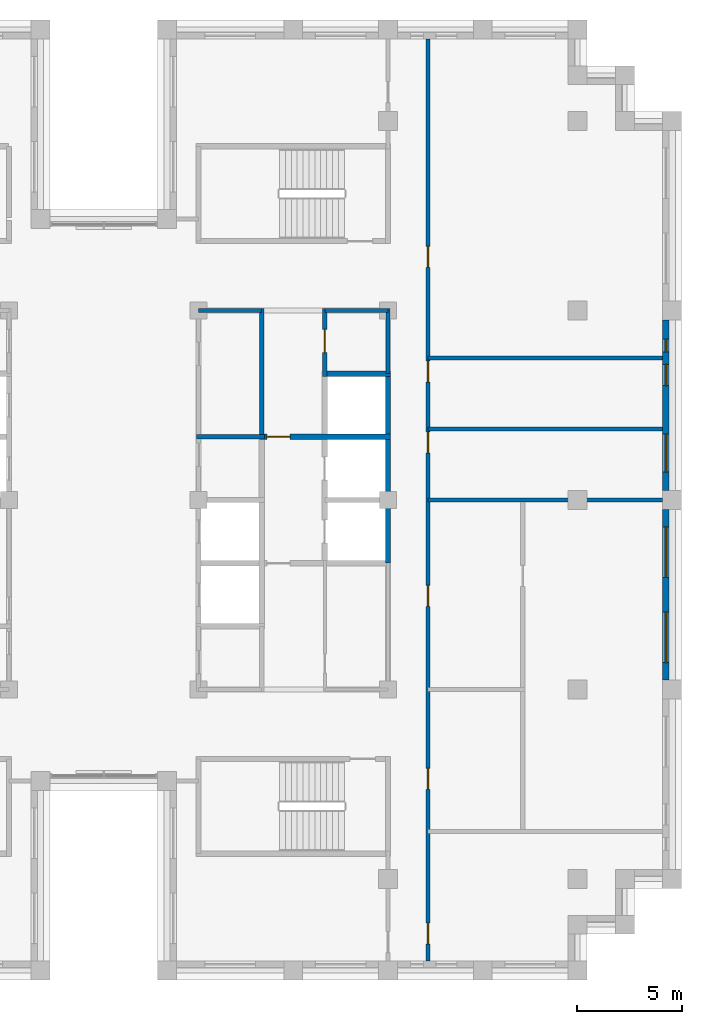
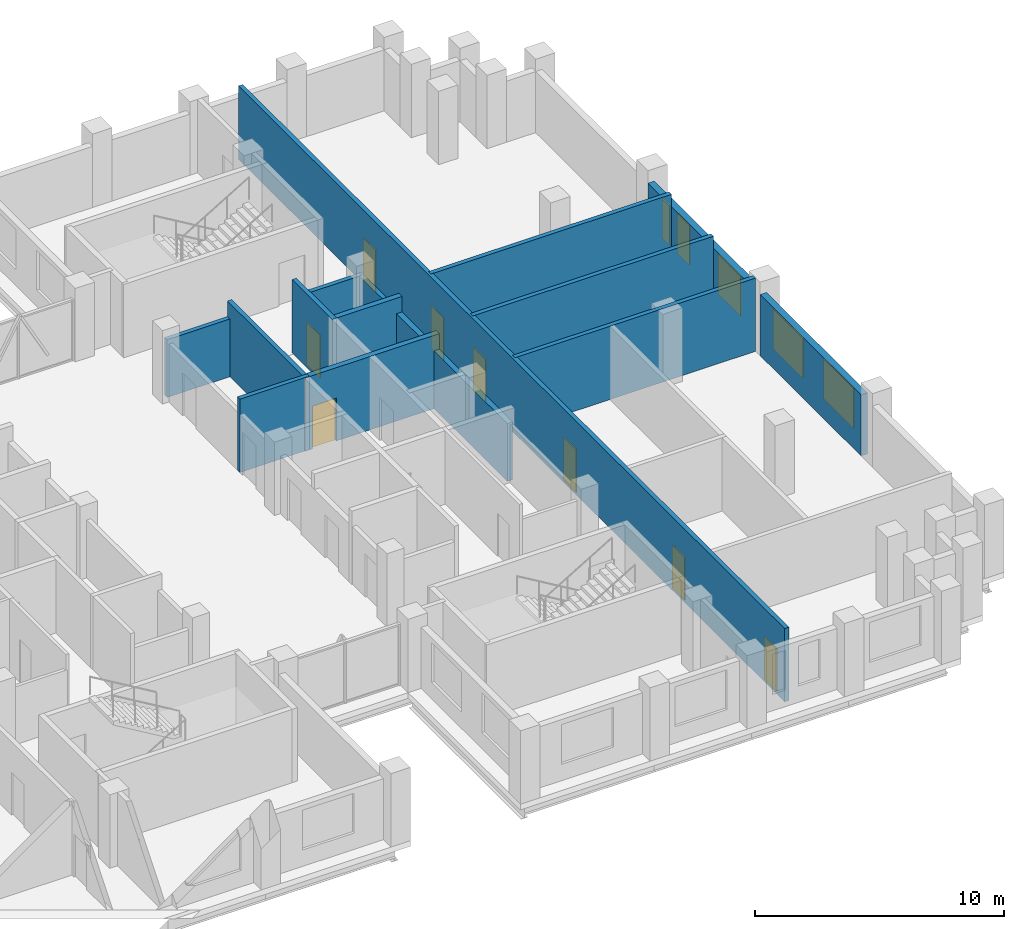
# One storey, part 9 of 13: 15 walls, 8 doors, 5 windows, 13 openings.
"""IFC4 building model written with IfcOpenShell, lengths in metres."""

from ifc_helpers import new_model, si_unit, direction, frame, frame_2d, origin, place, context, subcontext, project, spatial, rectangle, extrude, material, layer, layer_set, type_object, element, fill, save


model = new_model("IFC4")

# Units and contexts
model_context = context("Model", 3, precision=1e-05, world=origin(), true_north=direction((0.0, 1.0)))
body_context = subcontext(model_context, "Body", "Model", "MODEL_VIEW")
ifc_project = project(units=[si_unit("LENGTHUNIT", "METRE"), si_unit("AREAUNIT", "SQUARE_METRE"), si_unit("VOLUMEUNIT", "CUBIC_METRE"), si_unit("PLANEANGLEUNIT", "RADIAN"), si_unit("MASSUNIT", "GRAM", prefix="KILO")], contexts=[model_context])

# Site, building, storey
site_placement = place(None, origin())
site = spatial("IfcSite", under=ifc_project, at=site_placement, CompositionType="ELEMENT")
building_placement = place(site_placement, origin())
building = spatial("IfcBuilding", under=site, at=building_placement, Name="Corbelhall Arena Tower", CompositionType="ELEMENT")
storey_placement = place(building_placement, frame((0.0, 0.0, 290.0)))
storey = spatial("IfcBuildingStorey", under=building, at=storey_placement, Name="L63", CompositionType="ELEMENT", Elevation=290.0)

# Wall, openings, windows
ifc_material_1 = material(Name="Precast concrete C40/50 with granite facing", Category="masonry")
ifc_layer_1 = layer(ifc_material_1, 0.300048828125)
ifc_layer_set_1 = layer_set([ifc_layer_1], Name="EV-IW1 Infill panel 300")
wall_type_1 = type_object("IfcWallType", Name="EV-IW1 Infill panel 300", PredefinedType="SOLIDWALL", material=ifc_layer_set_1)
wall_1_placement = place(storey_placement, frame((26.699951171875, -8.550048828125, 0.0), z_axis=(0.0, 0.0, 1.0), x_axis=(0.0, 1.0, 0.0)))
wall_1 = element("IfcWall", 1, at=wall_1_placement, inside=storey, type_object=wall_type_1, Name="Infill panel IW1", PredefinedType="SOLIDWALL", context=body_context, shape_type="SweptSolid", body=[
    extrude(rectangle(XDim=8.10009765625, YDim=0.300048828125, at=frame_2d((4.050048828125, 0.0))), origin(), (0.0, 0.0, 1.0), 2.989990234375),
])
opening_1_placement = place(wall_1_placement, frame((0.824951171875, 0.0, 0.800048828125)))
opening_1 = element("IfcOpeningElement", 2, at=opening_1_placement, cuts=wall_1, Name="Opening WN1", PredefinedType="OPENING", context=body_context, shape_type="SweptSolid", body=[
    extrude(rectangle(XDim=2.39990234375, YDim=1.949951171875, at=frame_2d((1.199951171875, 0.97509765625))), frame((0.0, 0.14990234375, 0.0), z_axis=(0.0, -1.0, 0.0), x_axis=(1.0, 0.0, 0.0)), (0.0, 0.0, 1.0), 0.300048828125),
])
opening_2_placement = place(wall_1_placement, frame((4.875, 0.0, 0.800048828125)))
opening_2 = element("IfcOpeningElement", 3, at=opening_2_placement, cuts=wall_1, Name="Opening WN1", PredefinedType="OPENING", context=body_context, shape_type="SweptSolid", body=[
    extrude(rectangle(XDim=2.39990234375, YDim=1.949951171875, at=frame_2d((1.199951171875, 0.97509765625))), frame((0.0, 0.14990234375, 0.0), z_axis=(0.0, -1.0, 0.0), x_axis=(1.0, 0.0, 0.0)), (0.0, 0.0, 1.0), 0.300048828125),
])
ifc_material_2 = material(Name="Aluminium black anodised", Category="aluminium")
window_type_1 = type_object("IfcWindowType", Name="EV-WN1 Office window", PartitioningType="SINGLE_PANEL", PredefinedType="WINDOW", material=ifc_material_2)
window_1_placement = place(opening_1_placement, origin())
window_1 = element("IfcWindow", 4, at=window_1_placement, inside=storey, type_object=window_type_1, Name="Window WN1", OverallHeight=1.949951171875, OverallWidth=2.39990234375, PartitioningType="SINGLE_PANEL", PredefinedType="WINDOW", context=body_context, shape_type="SweptSolid", body=[
    extrude(rectangle(XDim=2.39990234375, YDim=1.949951171875, at=frame_2d((1.199951171875, 0.97509765625))), frame((0.0, 0.030029296875, 0.0), z_axis=(0.0, -1.0, 0.0), x_axis=(1.0, 0.0, 0.0)), (0.0, 0.0, 1.0), 0.06005859375),
])
fill(opening_1, window_1)
window_2_placement = place(opening_2_placement, origin())
window_2 = element("IfcWindow", 5, at=window_2_placement, inside=storey, type_object=window_type_1, Name="Window WN1", OverallHeight=1.949951171875, OverallWidth=2.39990234375, PartitioningType="SINGLE_PANEL", PredefinedType="WINDOW", context=body_context, shape_type="SweptSolid", body=[
    extrude(rectangle(XDim=2.39990234375, YDim=1.949951171875, at=frame_2d((1.199951171875, 0.97509765625))), frame((0.0, 0.030029296875, 0.0), z_axis=(0.0, -1.0, 0.0), x_axis=(1.0, 0.0, 0.0)), (0.0, 0.0, 1.0), 0.06005859375),
])
fill(opening_2, window_2)

wall_2_placement = place(storey_placement, frame((26.699951171875, 0.449951171875, 0.0), z_axis=(0.0, 0.0, 1.0), x_axis=(0.0, 1.0, 0.0)))
wall_2 = element("IfcWall", 6, at=wall_2_placement, inside=storey, type_object=wall_type_1, Name="Infill panel IW1", PredefinedType="SOLIDWALL", context=body_context, shape_type="SweptSolid", body=[
    extrude(rectangle(XDim=8.10009765625, YDim=0.300048828125, at=frame_2d((4.050048828125, 0.0))), origin(), (0.0, 0.0, 1.0), 2.989990234375),
])
opening_3_placement = place(wall_2_placement, frame((0.875, 0.0, 0.800048828125)))
opening_3 = element("IfcOpeningElement", 7, at=opening_3_placement, cuts=wall_2, Name="Opening WN8", PredefinedType="OPENING", context=body_context, shape_type="SweptSolid", body=[
    extrude(rectangle(XDim=1.800048828125, YDim=1.949951171875, at=frame_2d((0.89990234375, 0.97509765625))), frame((0.0, 0.14990234375, 0.0), z_axis=(0.0, -1.0, 0.0), x_axis=(1.0, 0.0, 0.0)), (0.0, 0.0, 1.0), 0.300048828125),
])
opening_4_placement = place(wall_2_placement, frame((4.987548828125, 0.0, 0.800048828125)))
opening_4 = element("IfcOpeningElement", 8, at=opening_4_placement, cuts=wall_2, Name="Opening WN6", PredefinedType="OPENING", context=body_context, shape_type="SweptSolid", body=[
    extrude(rectangle(XDim=1.0, YDim=1.949951171875, at=frame_2d((0.5, 0.97509765625))), frame((0.0, 0.14990234375, 0.0), z_axis=(0.0, -1.0, 0.0), x_axis=(1.0, 0.0, 0.0)), (0.0, 0.0, 1.0), 0.300048828125),
])
opening_5_placement = place(wall_2_placement, frame((6.58740234375, 0.0, 0.800048828125)))
opening_5 = element("IfcOpeningElement", 9, at=opening_5_placement, cuts=wall_2, Name="Opening WN5", PredefinedType="OPENING", context=body_context, shape_type="SweptSolid", body=[
    extrude(rectangle(XDim=0.60009765625, YDim=1.949951171875, at=frame_2d((0.300048828125, 0.97509765625))), frame((0.0, 0.14990234375, 0.0), z_axis=(0.0, -1.0, 0.0), x_axis=(1.0, 0.0, 0.0)), (0.0, 0.0, 1.0), 0.300048828125),
])
window_type_2 = type_object("IfcWindowType", Name="EV-WN5 Office window 600", PartitioningType="SINGLE_PANEL", PredefinedType="WINDOW", material=ifc_material_2)
window_3_placement = place(opening_5_placement, origin())
window_3 = element("IfcWindow", 10, at=window_3_placement, inside=storey, type_object=window_type_2, Name="Window WN5", OverallHeight=1.949951171875, OverallWidth=0.60009765625, PartitioningType="SINGLE_PANEL", PredefinedType="WINDOW", context=body_context, shape_type="SweptSolid", body=[
    extrude(rectangle(XDim=0.60009765625, YDim=1.949951171875, at=frame_2d((0.300048828125, 0.97509765625))), frame((0.0, 0.030029296875, 0.0), z_axis=(0.0, -1.0, 0.0), x_axis=(1.0, 0.0, 0.0)), (0.0, 0.0, 1.0), 0.06005859375),
])
fill(opening_5, window_3)
window_type_3 = type_object("IfcWindowType", Name="EV-WN6 Office window 1000", PartitioningType="SINGLE_PANEL", PredefinedType="WINDOW", material=ifc_material_2)
window_4_placement = place(opening_4_placement, origin())
window_4 = element("IfcWindow", 11, at=window_4_placement, inside=storey, type_object=window_type_3, Name="Window WN6", OverallHeight=1.949951171875, OverallWidth=1.0, PartitioningType="SINGLE_PANEL", PredefinedType="WINDOW", context=body_context, shape_type="SweptSolid", body=[
    extrude(rectangle(XDim=1.0, YDim=1.949951171875, at=frame_2d((0.5, 0.97509765625))), frame((0.0, 0.030029296875, 0.0), z_axis=(0.0, -1.0, 0.0), x_axis=(1.0, 0.0, 0.0)), (0.0, 0.0, 1.0), 0.06005859375),
])
fill(opening_4, window_4)
window_type_4 = type_object("IfcWindowType", Name="EV-WN8 Office window 1800", PartitioningType="SINGLE_PANEL", PredefinedType="WINDOW", material=ifc_material_2)
window_5_placement = place(opening_3_placement, origin())
window_5 = element("IfcWindow", 12, at=window_5_placement, inside=storey, type_object=window_type_4, Name="Window WN8", OverallHeight=1.949951171875, OverallWidth=1.800048828125, PartitioningType="SINGLE_PANEL", PredefinedType="WINDOW", context=body_context, shape_type="SweptSolid", body=[
    extrude(rectangle(XDim=1.800048828125, YDim=1.949951171875, at=frame_2d((0.89990234375, 0.97509765625))), frame((0.0, 0.030029296875, 0.0), z_axis=(0.0, -1.0, 0.0), x_axis=(1.0, 0.0, 0.0)), (0.0, 0.0, 1.0), 0.06005859375),
])
fill(opening_3, window_5)

# Wall, openings, doors
ifc_material_3 = material(Name="Gypsum board on steel stud, acoustic", Category="steel")
ifc_layer_2 = layer(ifc_material_3, 0.199951171875)
ifc_layer_set_2 = layer_set([ifc_layer_2], Name="IN-W-DM200")
wall_type_2 = type_object("IfcWallType", Name="IN-W-DM200", PredefinedType="PARTITIONING", material=ifc_layer_set_2)
wall_3_placement = place(storey_placement, frame((15.39990234375, 21.89990234375, 0.0), z_axis=(0.0, 0.0, 1.0), x_axis=(0.0, -1.0, 0.0)))
wall_3 = element("IfcWall", 13, at=wall_3_placement, inside=storey, type_object=wall_type_2, Name="Partition 015", PredefinedType="PARTITIONING", context=body_context, shape_type="SweptSolid", body=[
    extrude(rectangle(XDim=43.7998046875, YDim=0.199951171875, at=frame_2d((21.89990234375, 0.0))), origin(), (0.0, 0.0, 1.0), 3.590087890625),
])
opening_6_placement = place(wall_3_placement, frame((18.675048828125, 0.0, 0.0)))
opening_6 = element("IfcOpeningElement", 14, at=opening_6_placement, cuts=wall_3, Name="Opening 20028", PredefinedType="OPENING", context=body_context, shape_type="SweptSolid", body=[
    extrude(rectangle(XDim=1.0, YDim=2.10009765625, at=frame_2d((0.5, 1.050048828125))), frame((0.0, 0.10009765625, 0.0), z_axis=(0.0, -1.0, 0.0), x_axis=(1.0, 0.0, 0.0)), (0.0, 0.0, 1.0), 0.199951171875),
])
opening_7_placement = place(wall_3_placement, frame((15.300048828125, 0.0, 0.0)))
opening_7 = element("IfcOpeningElement", 15, at=opening_7_placement, cuts=wall_3, Name="Opening 20029", PredefinedType="OPENING", context=body_context, shape_type="SweptSolid", body=[
    extrude(rectangle(XDim=1.0, YDim=2.10009765625, at=frame_2d((0.5, 1.050048828125))), frame((0.0, 0.10009765625, 0.0), z_axis=(0.0, -1.0, 0.0), x_axis=(1.0, 0.0, 0.0)), (0.0, 0.0, 1.0), 0.199951171875),
])
opening_8_placement = place(wall_3_placement, frame((9.85009765625, 0.0, 0.0)))
opening_8 = element("IfcOpeningElement", 16, at=opening_8_placement, cuts=wall_3, Name="Opening 20030", PredefinedType="OPENING", context=body_context, shape_type="SweptSolid", body=[
    extrude(rectangle(XDim=1.0, YDim=2.10009765625, at=frame_2d((0.5, 1.050048828125))), frame((0.0, 0.10009765625, 0.0), z_axis=(0.0, -1.0, 0.0), x_axis=(1.0, 0.0, 0.0)), (0.0, 0.0, 1.0), 0.199951171875),
])
opening_9_placement = place(wall_3_placement, frame((42.0, 0.0, 0.0)))
opening_9 = element("IfcOpeningElement", 17, at=opening_9_placement, cuts=wall_3, Name="Opening 20031", PredefinedType="OPENING", context=body_context, shape_type="SweptSolid", body=[
    extrude(rectangle(XDim=1.0, YDim=2.10009765625, at=frame_2d((0.5, 1.050048828125))), frame((0.0, 0.10009765625, 0.0), z_axis=(0.0, -1.0, 0.0), x_axis=(1.0, 0.0, 0.0)), (0.0, 0.0, 1.0), 0.199951171875),
])
opening_10_placement = place(wall_3_placement, frame((34.64990234375, 0.0, 0.0)))
opening_10 = element("IfcOpeningElement", 18, at=opening_10_placement, cuts=wall_3, Name="Opening 20032", PredefinedType="OPENING", context=body_context, shape_type="SweptSolid", body=[
    extrude(rectangle(XDim=1.0, YDim=2.10009765625, at=frame_2d((0.5, 1.050048828125))), frame((0.0, 0.10009765625, 0.0), z_axis=(0.0, -1.0, 0.0), x_axis=(1.0, 0.0, 0.0)), (0.0, 0.0, 1.0), 0.199951171875),
])
opening_11_placement = place(wall_3_placement, frame((25.949951171875, 0.0, 0.0)))
opening_11 = element("IfcOpeningElement", 19, at=opening_11_placement, cuts=wall_3, Name="Opening 20033", PredefinedType="OPENING", context=body_context, shape_type="SweptSolid", body=[
    extrude(rectangle(XDim=1.0, YDim=2.10009765625, at=frame_2d((0.5, 1.050048828125))), frame((0.0, 0.10009765625, 0.0), z_axis=(0.0, -1.0, 0.0), x_axis=(1.0, 0.0, 0.0)), (0.0, 0.0, 1.0), 0.199951171875),
])
ifc_material_4 = material(Name="Steel door set", Category="steel")
door_type_1 = type_object("IfcDoorType", Name="IN-D-SW100", OperationType="NOTDEFINED", PredefinedType="DOOR", material=ifc_material_4)
door_1_placement = place(opening_6_placement, origin())
door_1 = element("IfcDoor", 20, at=door_1_placement, inside=storey, type_object=door_type_1, Name="Door 028", OperationType="SINGLE_SWING_LEFT", OverallHeight=2.10009765625, OverallWidth=1.0, PredefinedType="DOOR", context=body_context, shape_type="SweptSolid", body=[
    extrude(rectangle(XDim=1.0, YDim=2.10009765625, at=frame_2d((0.5, 1.050048828125))), frame((0.0, 0.02490234375, 0.0), z_axis=(0.0, -1.0, 0.0), x_axis=(1.0, 0.0, 0.0)), (0.0, 0.0, 1.0), 0.050048828125),
])
fill(opening_6, door_1)
door_2_placement = place(opening_7_placement, origin())
door_2 = element("IfcDoor", 21, at=door_2_placement, inside=storey, type_object=door_type_1, Name="Door 029", OperationType="SINGLE_SWING_RIGHT", OverallHeight=2.10009765625, OverallWidth=1.0, PredefinedType="DOOR", context=body_context, shape_type="SweptSolid", body=[
    extrude(rectangle(XDim=1.0, YDim=2.10009765625, at=frame_2d((0.5, 1.050048828125))), frame((0.0, 0.02490234375, 0.0), z_axis=(0.0, -1.0, 0.0), x_axis=(1.0, 0.0, 0.0)), (0.0, 0.0, 1.0), 0.050048828125),
])
fill(opening_7, door_2)
door_3_placement = place(opening_8_placement, origin())
door_3 = element("IfcDoor", 22, at=door_3_placement, inside=storey, type_object=door_type_1, Name="Door 030", OperationType="SINGLE_SWING_LEFT", OverallHeight=2.10009765625, OverallWidth=1.0, PredefinedType="DOOR", context=body_context, shape_type="SweptSolid", body=[
    extrude(rectangle(XDim=1.0, YDim=2.10009765625, at=frame_2d((0.5, 1.050048828125))), frame((0.0, 0.02490234375, 0.0), z_axis=(0.0, -1.0, 0.0), x_axis=(1.0, 0.0, 0.0)), (0.0, 0.0, 1.0), 0.050048828125),
])
fill(opening_8, door_3)
door_4_placement = place(opening_9_placement, origin())
door_4 = element("IfcDoor", 23, at=door_4_placement, inside=storey, type_object=door_type_1, Name="Door 031", OperationType="SINGLE_SWING_RIGHT", OverallHeight=2.10009765625, OverallWidth=1.0, PredefinedType="DOOR", context=body_context, shape_type="SweptSolid", body=[
    extrude(rectangle(XDim=1.0, YDim=2.10009765625, at=frame_2d((0.5, 1.050048828125))), frame((0.0, 0.02490234375, 0.0), z_axis=(0.0, -1.0, 0.0), x_axis=(1.0, 0.0, 0.0)), (0.0, 0.0, 1.0), 0.050048828125),
])
fill(opening_9, door_4)
door_5_placement = place(opening_10_placement, origin())
door_5 = element("IfcDoor", 24, at=door_5_placement, inside=storey, type_object=door_type_1, Name="Door 032", OperationType="SINGLE_SWING_LEFT", OverallHeight=2.10009765625, OverallWidth=1.0, PredefinedType="DOOR", context=body_context, shape_type="SweptSolid", body=[
    extrude(rectangle(XDim=1.0, YDim=2.10009765625, at=frame_2d((0.5, 1.050048828125))), frame((0.0, 0.02490234375, 0.0), z_axis=(0.0, -1.0, 0.0), x_axis=(1.0, 0.0, 0.0)), (0.0, 0.0, 1.0), 0.050048828125),
])
fill(opening_10, door_5)
door_6_placement = place(opening_11_placement, origin())
door_6 = element("IfcDoor", 25, at=door_6_placement, inside=storey, type_object=door_type_1, Name="Door 033", OperationType="SINGLE_SWING_RIGHT", OverallHeight=2.10009765625, OverallWidth=1.0, PredefinedType="DOOR", context=body_context, shape_type="SweptSolid", body=[
    extrude(rectangle(XDim=1.0, YDim=2.10009765625, at=frame_2d((0.5, 1.050048828125))), frame((0.0, 0.02490234375, 0.0), z_axis=(0.0, -1.0, 0.0), x_axis=(1.0, 0.0, 0.0)), (0.0, 0.0, 1.0), 0.050048828125),
])
fill(opening_11, door_6)

# Walls
for number, where, z_axis, x_axis, name in (
    (26, (15.39990234375, 3.375, 0.0), (0.0, 0.0, 1.0), (1.0, 0.0, 0.0), "Partition 017"),
    (27, (15.39990234375, 6.75, 0.0), (0.0, 0.0, 1.0), (1.0, 0.0, 0.0), "Partition 018"),
    (28, (26.550048828125, 0.0, 0.0), (0.0, 0.0, 1.0), (-1.0, 0.0, 0.0), "Partition 020"),
):
    element("IfcWall", number, at=place(storey_placement, frame(where, z_axis=z_axis, x_axis=x_axis)), inside=storey, type_object=wall_type_2, Name=name, PredefinedType="PARTITIONING", context=body_context, shape_type="SweptSolid", body=[
        extrude(rectangle(XDim=11.150146484375, YDim=0.199951171875, at=frame_2d((5.5751953125, 0.0))), origin(), (0.0, 0.0, 1.0), 3.590087890625),
    ])
ifc_material_5 = material(Name="Concrete block wall", Category="concrete")
ifc_layer_3 = layer(ifc_material_5, 0.199951171875)
ifc_layer_set_3 = layer_set([ifc_layer_3], Name="IN-W-RS200")
wall_type_3 = type_object("IfcWallType", Name="IN-W-RS200", PredefinedType="SOLIDWALL", material=ifc_layer_set_3)
wall_4_placement = place(storey_placement, frame((4.39990234375, 3.0, 0.0), z_axis=(0.0, 0.0, 1.0), x_axis=(1.0, 0.0, 0.0)))
element("IfcWall", 29, at=wall_4_placement, inside=storey, type_object=wall_type_3, Name="Partition 030", PredefinedType="SOLIDWALL", context=body_context, shape_type="SweptSolid", body=[
    extrude(rectangle(XDim=3.22509765625, YDim=0.199951171875, at=frame_2d((1.612548828125, 0.0))), origin(), (0.0, 0.0, 1.0), 3.590087890625),
])
wall_5_placement = place(storey_placement, frame((7.5, 9.10009765625, 0.0), z_axis=(0.0, 0.0, 1.0), x_axis=(0.0, -1.0, 0.0)))
element("IfcWall", 30, at=wall_5_placement, inside=storey, type_object=wall_type_3, Name="Partition 036", PredefinedType="SOLIDWALL", context=body_context, shape_type="SweptSolid", body=[
    extrude(rectangle(XDim=6.22509765625, YDim=0.199951171875, at=frame_2d((3.112548828125, 0.0))), origin(), (0.0, 0.0, 1.0), 3.590087890625),
])

# Wall, opening, door
wall_6_placement = place(storey_placement, frame((10.5, 9.10009765625, 0.0), z_axis=(0.0, 0.0, 1.0), x_axis=(0.0, -1.0, 0.0)))
wall_6 = element("IfcWall", 31, at=wall_6_placement, inside=storey, type_object=wall_type_3, Name="Partition 038", PredefinedType="SOLIDWALL", context=body_context, shape_type="SweptSolid", body=[
    extrude(rectangle(XDim=3.22509765625, YDim=0.199951171875, at=frame_2d((1.612548828125, 0.0))), origin(), (0.0, 0.0, 1.0), 3.590087890625),
])
opening_12_placement = place(wall_6_placement, frame((1.0, 0.0, 0.0)))
opening_12 = element("IfcOpeningElement", 32, at=opening_12_placement, cuts=wall_6, Name="Opening 20015", PredefinedType="OPENING", context=body_context, shape_type="SweptSolid", body=[
    extrude(rectangle(XDim=1.10009765625, YDim=2.10009765625, at=frame_2d((0.550048828125, 1.050048828125))), frame((0.0, 0.10009765625, 0.0), z_axis=(0.0, -1.0, 0.0), x_axis=(1.0, 0.0, 0.0)), (0.0, 0.0, 1.0), 0.199951171875),
])
door_type_2 = type_object("IfcDoorType", Name="IN-D-FD110", OperationType="NOTDEFINED", PredefinedType="DOOR", material=ifc_material_4)
door_7_placement = place(opening_12_placement, origin())
door_7 = element("IfcDoor", 33, at=door_7_placement, inside=storey, type_object=door_type_2, Name="Door 015", OperationType="SINGLE_SWING_RIGHT", OverallHeight=2.10009765625, OverallWidth=1.10009765625, PredefinedType="DOOR", context=body_context, shape_type="SweptSolid", body=[
    extrude(rectangle(XDim=1.10009765625, YDim=2.10009765625, at=frame_2d((0.550048828125, 1.050048828125))), frame((0.0, 0.02490234375, 0.0), z_axis=(0.0, -1.0, 0.0), x_axis=(1.0, 0.0, 0.0)), (0.0, 0.0, 1.0), 0.050048828125),
])
fill(opening_12, door_7)

# Walls
ifc_layer_4 = layer(ifc_material_5, 0.199951171875)
ifc_layer_set_4 = layer_set([ifc_layer_4], Name="IN-W-RS200 under beam 762 mm")
wall_type_4 = type_object("IfcWallType", Name="IN-W-RS200 under beam 762 mm", PredefinedType="SOLIDWALL", material=ifc_layer_set_4)
for number, where, z_axis, x_axis, name in (
    (34, (4.5, 9.0, 0.0), (0.0, 0.0, 1.0), (1.0, 0.0, 0.0), "Partition 033"),
    (35, (10.5, 9.0, 0.0), (0.0, 0.0, 1.0), (1.0, 0.0, 0.0), "Partition 037"),
):
    element("IfcWall", number, at=place(storey_placement, frame(where, z_axis=z_axis, x_axis=x_axis)), inside=storey, type_object=wall_type_4, Name=name, PredefinedType="SOLIDWALL", context=body_context, shape_type="SweptSolid", body=[
        extrude(rectangle(XDim=3.0, YDim=0.199951171875, at=frame_2d((1.5, 0.0))), origin(), (0.0, 0.0, 1.0), 2.827880859375),
    ])
wall_7_placement = place(storey_placement, frame((13.5, 9.10009765625, 0.0), z_axis=(0.0, 0.0, 1.0), x_axis=(0.0, -1.0, 0.0)))
element("IfcWall", 36, at=wall_7_placement, inside=storey, type_object=wall_type_4, Name="Partition 039", PredefinedType="SOLIDWALL", context=body_context, shape_type="SweptSolid", body=[
    extrude(rectangle(XDim=3.10009765625, YDim=0.199951171875, at=frame_2d((1.550048828125, 0.0))), origin(), (0.0, 0.0, 1.0), 2.827880859375),
])

# Wall, opening, door
ifc_material_6 = material(Name="Concrete C40/50", Category="concrete")
ifc_layer_5 = layer(ifc_material_6, 0.25)
ifc_layer_set_5 = layer_set([ifc_layer_5], Name="IN-W-SH250")
wall_type_5 = type_object("IfcWallType", Name="IN-W-SH250", PredefinedType="SOLIDWALL", material=ifc_layer_set_5)
wall_8_placement = place(storey_placement, frame((7.5, 3.0, 0.0), z_axis=(0.0, 0.0, 1.0), x_axis=(1.0, 0.0, 0.0)))
wall_8 = element("IfcWall", 37, at=wall_8_placement, inside=storey, type_object=wall_type_5, Name="Shaft wall 054", PredefinedType="SOLIDWALL", context=body_context, shape_type="SweptSolid", body=[
    extrude(rectangle(XDim=6.125, YDim=0.25, at=frame_2d((3.0625, 0.0))), origin(), (0.0, 0.0, 1.0), 3.590087890625),
])
opening_13_placement = place(wall_8_placement, frame((0.25, 0.0, 0.0)))
opening_13 = element("IfcOpeningElement", 38, at=opening_13_placement, cuts=wall_8, Name="Opening 20013", PredefinedType="OPENING", context=body_context, shape_type="SweptSolid", body=[
    extrude(rectangle(XDim=1.10009765625, YDim=2.10009765625, at=frame_2d((0.550048828125, 1.050048828125))), frame((0.0, 0.125, 0.0), z_axis=(0.0, -1.0, 0.0), x_axis=(1.0, 0.0, 0.0)), (0.0, 0.0, 1.0), 0.25),
])
door_8_placement = place(opening_13_placement, origin())
door_8 = element("IfcDoor", 39, at=door_8_placement, inside=storey, type_object=door_type_2, Name="Door 013", OperationType="SINGLE_SWING_RIGHT", OverallHeight=2.10009765625, OverallWidth=1.10009765625, PredefinedType="DOOR", context=body_context, shape_type="SweptSolid", body=[
    extrude(rectangle(XDim=1.10009765625, YDim=2.10009765625, at=frame_2d((0.550048828125, 1.050048828125))), frame((0.0, 0.02490234375, 0.0), z_axis=(0.0, -1.0, 0.0), x_axis=(1.0, 0.0, 0.0)), (0.0, 0.0, 1.0), 0.050048828125),
])
fill(opening_13, door_8)

# Walls
wall_9_placement = place(storey_placement, frame((10.5, 6.0, 0.0), z_axis=(0.0, 0.0, 1.0), x_axis=(1.0, 0.0, 0.0)))
element("IfcWall", 40, at=wall_9_placement, inside=storey, type_object=wall_type_5, Name="Shaft wall 057", PredefinedType="SOLIDWALL", context=body_context, shape_type="SweptSolid", body=[
    extrude(rectangle(XDim=3.125, YDim=0.25, at=frame_2d((1.5625, 0.0))), origin(), (0.0, 0.0, 1.0), 3.590087890625),
])
ifc_layer_6 = layer(ifc_material_6, 0.25)
ifc_layer_set_6 = layer_set([ifc_layer_6], Name="IN-W-SH250 under beam 762 mm")
wall_type_6 = type_object("IfcWallType", Name="IN-W-SH250 under beam 762 mm", PredefinedType="SOLIDWALL", material=ifc_layer_set_6)
wall_10_placement = place(storey_placement, frame((13.5, 6.0, 0.0), z_axis=(0.0, 0.0, 1.0), x_axis=(0.0, -1.0, 0.0)))
element("IfcWall", 41, at=wall_10_placement, inside=storey, type_object=wall_type_6, Name="Shaft wall 058", PredefinedType="SOLIDWALL", context=body_context, shape_type="SweptSolid", body=[
    extrude(rectangle(XDim=9.0, YDim=0.25, at=frame_2d((4.5, 0.0))), origin(), (0.0, 0.0, 1.0), 2.827880859375),
])

save(model, "model.ifc")
